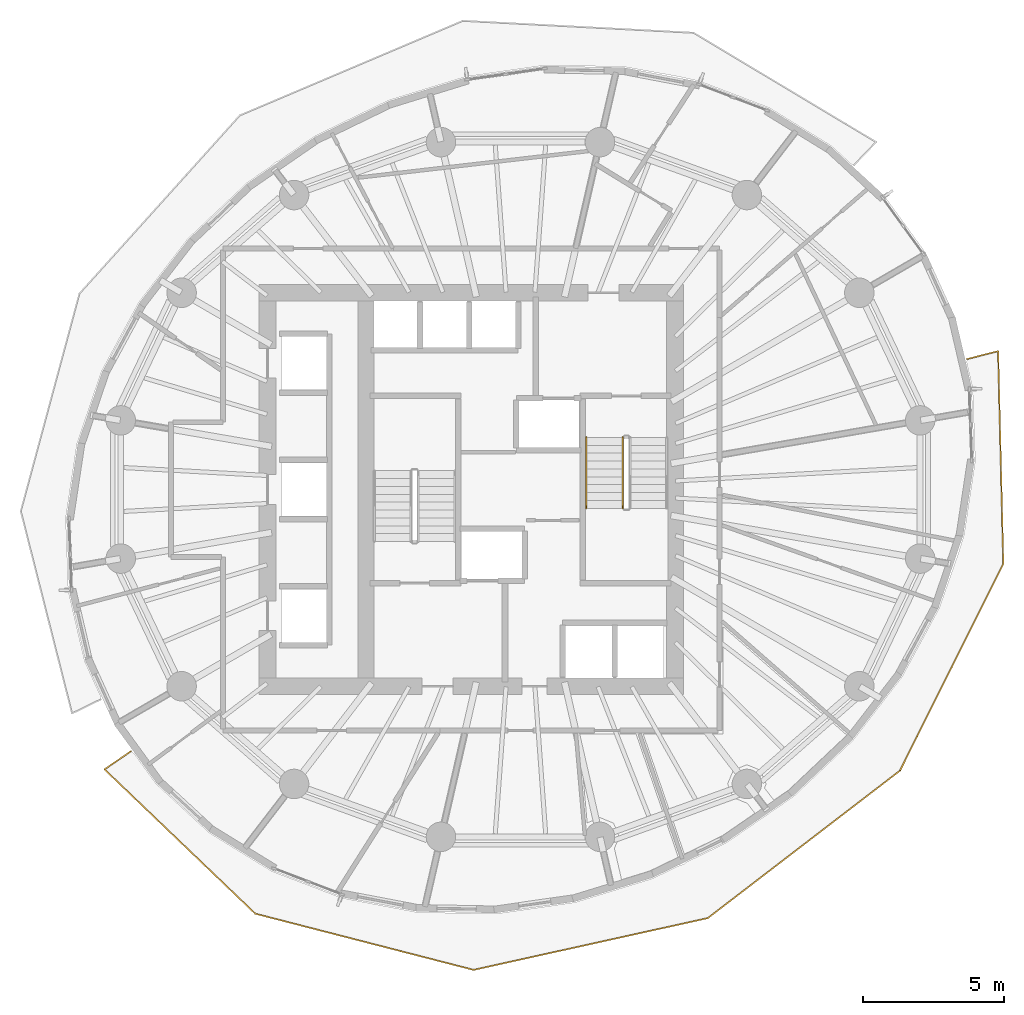
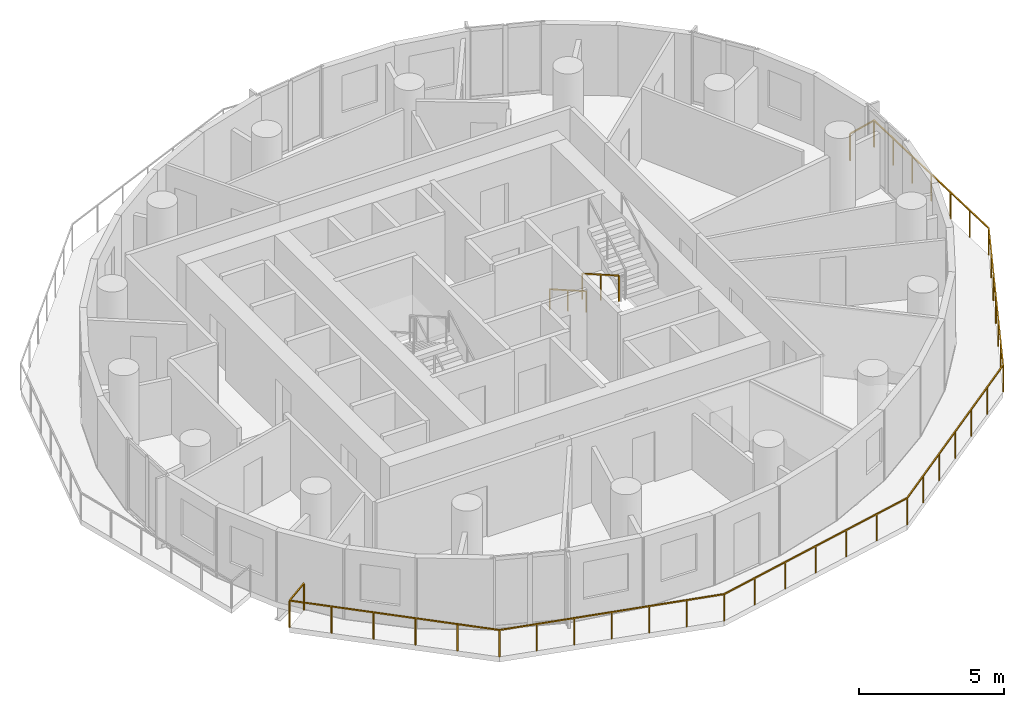
# One storey, part 11 of 14: 3 railings.
"""IFC4 building model written with IfcOpenShell, lengths in metres."""

from ifc_helpers import new_model, si_unit, direction, frame, origin, origin_2d, place, context, subcontext, project, spatial, rectangle, extrude, material, type_object, element, save


model = new_model("IFC4")

# Units and contexts
model_context = context("Model", 3, precision=1e-05, world=origin(), true_north=direction((0.0, 1.0)))
body_context = subcontext(model_context, "Body", "Model", "MODEL_VIEW")
ifc_project = project(units=[si_unit("LENGTHUNIT", "METRE"), si_unit("AREAUNIT", "SQUARE_METRE"), si_unit("VOLUMEUNIT", "CUBIC_METRE"), si_unit("PLANEANGLEUNIT", "RADIAN"), si_unit("MASSUNIT", "GRAM", prefix="KILO")], contexts=[model_context])

# Site, building, storey
site_placement = place(None, origin())
site = spatial("IfcSite", under=ifc_project, at=site_placement, CompositionType="ELEMENT")
building_placement = place(site_placement, origin())
building = spatial("IfcBuilding", under=site, at=building_placement, Name="Veldorim Arch Residences", CompositionType="ELEMENT")
storey_placement = place(building_placement, frame((0.0, 0.0, 126.56005859375)))
storey = spatial("IfcBuildingStorey", under=building, at=storey_placement, Name="L37", CompositionType="ELEMENT", Elevation=126.56005859375)

# Railings
ifc_material_1 = material(Name="Aluminium", Category="aluminium")
railing_type_1 = type_object("IfcRailingType", Name="Balcony & Terrace Laminated Glass Balustrade 1150", PredefinedType="BALUSTRADE", material=ifc_material_1)
railing_1_placement = place(storey_placement, frame((18.147216796875, 14.69287109375, 0.0)))
element("IfcRailing", 1, at=railing_1_placement, inside=storey, type_object=railing_type_1, Name="L37 crescent balcony safety balustrade B", PredefinedType="BALUSTRADE", context=body_context, shape_type="SweptSolid", body=[
    extrude(rectangle(XDim=0.048095703125, YDim=0.048095703125, at=origin_2d()), frame((0.0, 0.0, 1.1259765625), z_axis=(-0.824728851846, -0.565528355552, 0.0), x_axis=(0.565528355552, -0.824728851846, 0.0)), (0.0, 0.0, 1.0), 1.150146484375),
    extrude(rectangle(XDim=0.048095703125, YDim=0.048095703125, at=origin_2d()), frame((-0.948486328125, -0.650390625, 1.1259765625), z_axis=(0.722399864127, -0.691475550045, 0.0), x_axis=(0.691475550045, 0.722399864127, 0.0)), (0.0, 0.0, 1.0), 7.428955078125),
    extrude(rectangle(XDim=0.048095703125, YDim=0.048095703125, at=origin_2d()), frame((4.418212890625, -5.787353515625, 1.1259765625), z_axis=(0.968423038442, -0.249312692448, 0.0), x_axis=(0.249312692448, 0.968423038442, 0.0)), (0.0, 0.0, 1.0), 8.02001953125),
    extrude(rectangle(XDim=0.048095703125, YDim=0.048095703125, at=origin_2d()), frame((12.18505859375, -7.786865234375, 1.1259765625), z_axis=(0.976416740218, 0.215894301503, 0.0), x_axis=(-0.215894301503, 0.976416740218, 0.0)), (0.0, 0.0, 1.0), 8.533203125),
    extrude(rectangle(XDim=0.048095703125, YDim=0.048095703125, at=origin_2d()), frame((20.51708984375, -5.944580078125, 1.1259765625), z_axis=(0.793408539041, 0.608689485844, 0.0), x_axis=(-0.608689485844, 0.793408539041, 0.0)), (0.0, 0.0, 1.0), 8.622802734375),
    extrude(rectangle(XDim=0.048095703125, YDim=0.048095703125, at=origin_2d()), frame((27.3583984375, -0.696044921875, 1.1259765625), z_axis=(0.446987874806, 0.894540015749, 0.0), x_axis=(-0.894540015749, 0.446987874806, 0.0)), (0.0, 0.0, 1.0), 8.220703125),
    extrude(rectangle(XDim=0.048095703125, YDim=0.048095703125, at=origin_2d()), frame((31.032958984375, 6.65771484375, 1.1259765625), z_axis=(-0.024331146164, 0.999703953842, 0.0), x_axis=(-0.999703953842, -0.024331146164, 0.0)), (0.0, 0.0, 1.0), 7.57568359375),
    extrude(rectangle(XDim=0.048095703125, YDim=0.048095703125, at=origin_2d()), frame((30.8486328125, 14.231201171875, 1.1259765625), z_axis=(-0.969033465083, -0.246929430301, 0.0), x_axis=(0.246929430301, -0.969033465083, 0.0)), (0.0, 0.0, 1.0), 1.14990234375),
    extrude(rectangle(XDim=0.0419921875, YDim=0.0419921875, at=origin_2d()), origin(), (0.0, 0.0, 1.0), 1.101806640625),
    extrude(rectangle(XDim=0.0419921875, YDim=0.0419921875, at=origin_2d()), frame((-0.948486328125, -0.650390625, 0.0)), (0.0, 0.0, 1.0), 1.101806640625),
    extrude(rectangle(XDim=0.0419921875, YDim=0.0419921875, at=origin_2d()), frame((0.124755859375, -1.677734375, 0.0)), (0.0, 0.0, 1.0), 1.101806640625),
    extrude(rectangle(XDim=0.0419921875, YDim=0.0419921875, at=origin_2d()), frame((1.1982421875, -2.705078125, 0.0)), (0.0, 0.0, 1.0), 1.101806640625),
    extrude(rectangle(XDim=0.0419921875, YDim=0.0419921875, at=origin_2d()), frame((2.271484375, -3.732666015625, 0.0)), (0.0, 0.0, 1.0), 1.101806640625),
    extrude(rectangle(XDim=0.0419921875, YDim=0.0419921875, at=origin_2d()), frame((3.344970703125, -4.760009765625, 0.0)), (0.0, 0.0, 1.0), 1.101806640625),
    extrude(rectangle(XDim=0.0419921875, YDim=0.0419921875, at=origin_2d()), frame((4.418212890625, -5.787353515625, 0.0)), (0.0, 0.0, 1.0), 1.101806640625),
    extrude(rectangle(XDim=0.0419921875, YDim=0.0419921875, at=origin_2d()), frame((5.712646484375, -6.12060546875, 0.0)), (0.0, 0.0, 1.0), 1.101806640625),
    extrude(rectangle(XDim=0.0419921875, YDim=0.0419921875, at=origin_2d()), frame((7.007080078125, -6.453857421875, 0.0)), (0.0, 0.0, 1.0), 1.101806640625),
    extrude(rectangle(XDim=0.0419921875, YDim=0.0419921875, at=origin_2d()), frame((8.3017578125, -6.787109375, 0.0)), (0.0, 0.0, 1.0), 1.101806640625),
    extrude(rectangle(XDim=0.0419921875, YDim=0.0419921875, at=origin_2d()), frame((9.59619140625, -7.120361328125, 0.0)), (0.0, 0.0, 1.0), 1.101806640625),
    extrude(rectangle(XDim=0.0419921875, YDim=0.0419921875, at=origin_2d()), frame((10.890625, -7.45361328125, 0.0)), (0.0, 0.0, 1.0), 1.101806640625),
    extrude(rectangle(XDim=0.0419921875, YDim=0.0419921875, at=origin_2d()), frame((12.18505859375, -7.786865234375, 0.0)), (0.0, 0.0, 1.0), 1.101806640625),
    extrude(rectangle(XDim=0.0419921875, YDim=0.0419921875, at=origin_2d()), frame((13.57373046875, -7.479736328125, 0.0)), (0.0, 0.0, 1.0), 1.101806640625),
    extrude(rectangle(XDim=0.0419921875, YDim=0.0419921875, at=origin_2d()), frame((14.96240234375, -7.1728515625, 0.0)), (0.0, 0.0, 1.0), 1.101806640625),
    extrude(rectangle(XDim=0.0419921875, YDim=0.0419921875, at=origin_2d()), frame((16.35107421875, -6.86572265625, 0.0)), (0.0, 0.0, 1.0), 1.101806640625),
    extrude(rectangle(XDim=0.0419921875, YDim=0.0419921875, at=origin_2d()), frame((17.73974609375, -6.55859375, 0.0)), (0.0, 0.0, 1.0), 1.101806640625),
    extrude(rectangle(XDim=0.0419921875, YDim=0.0419921875, at=origin_2d()), frame((19.12841796875, -6.251708984375, 0.0)), (0.0, 0.0, 1.0), 1.101806640625),
    extrude(rectangle(XDim=0.0419921875, YDim=0.0419921875, at=origin_2d()), frame((20.51708984375, -5.944580078125, 0.0)), (0.0, 0.0, 1.0), 1.101806640625),
    extrude(rectangle(XDim=0.0419921875, YDim=0.0419921875, at=origin_2d()), frame((21.6572265625, -5.06982421875, 0.0)), (0.0, 0.0, 1.0), 1.101806640625),
    extrude(rectangle(XDim=0.0419921875, YDim=0.0419921875, at=origin_2d()), frame((22.797607421875, -4.195068359375, 0.0)), (0.0, 0.0, 1.0), 1.101806640625),
    extrude(rectangle(XDim=0.0419921875, YDim=0.0419921875, at=origin_2d()), frame((23.937744140625, -3.3203125, 0.0)), (0.0, 0.0, 1.0), 1.101806640625),
    extrude(rectangle(XDim=0.0419921875, YDim=0.0419921875, at=origin_2d()), frame((25.077880859375, -2.445556640625, 0.0)), (0.0, 0.0, 1.0), 1.101806640625),
    extrude(rectangle(XDim=0.0419921875, YDim=0.0419921875, at=origin_2d()), frame((26.21826171875, -1.57080078125, 0.0)), (0.0, 0.0, 1.0), 1.101806640625),
    extrude(rectangle(XDim=0.0419921875, YDim=0.0419921875, at=origin_2d()), frame((27.3583984375, -0.696044921875, 0.0)), (0.0, 0.0, 1.0), 1.101806640625),
    extrude(rectangle(XDim=0.0419921875, YDim=0.0419921875, at=origin_2d()), frame((27.970703125, 0.529541015625, 0.0)), (0.0, 0.0, 1.0), 1.101806640625),
    extrude(rectangle(XDim=0.0419921875, YDim=0.0419921875, at=origin_2d()), frame((28.583251953125, 1.755126953125, 0.0)), (0.0, 0.0, 1.0), 1.101806640625),
    extrude(rectangle(XDim=0.0419921875, YDim=0.0419921875, at=origin_2d()), frame((29.19580078125, 2.98095703125, 0.0)), (0.0, 0.0, 1.0), 1.101806640625),
    extrude(rectangle(XDim=0.0419921875, YDim=0.0419921875, at=origin_2d()), frame((29.80810546875, 4.20654296875, 0.0)), (0.0, 0.0, 1.0), 1.101806640625),
    extrude(rectangle(XDim=0.0419921875, YDim=0.0419921875, at=origin_2d()), frame((30.42041015625, 5.43212890625, 0.0)), (0.0, 0.0, 1.0), 1.101806640625),
    extrude(rectangle(XDim=0.0419921875, YDim=0.0419921875, at=origin_2d()), frame((31.032958984375, 6.65771484375, 0.0)), (0.0, 0.0, 1.0), 1.101806640625),
    extrude(rectangle(XDim=0.0419921875, YDim=0.0419921875, at=origin_2d()), frame((31.002197265625, 7.919921875, 0.0)), (0.0, 0.0, 1.0), 1.101806640625),
    extrude(rectangle(XDim=0.0419921875, YDim=0.0419921875, at=origin_2d()), frame((30.971435546875, 9.18212890625, 0.0)), (0.0, 0.0, 1.0), 1.101806640625),
    extrude(rectangle(XDim=0.0419921875, YDim=0.0419921875, at=origin_2d()), frame((30.94091796875, 10.4443359375, 0.0)), (0.0, 0.0, 1.0), 1.101806640625),
    extrude(rectangle(XDim=0.0419921875, YDim=0.0419921875, at=origin_2d()), frame((30.91015625, 11.706787109375, 0.0)), (0.0, 0.0, 1.0), 1.101806640625),
    extrude(rectangle(XDim=0.0419921875, YDim=0.0419921875, at=origin_2d()), frame((30.87939453125, 12.968994140625, 0.0)), (0.0, 0.0, 1.0), 1.101806640625),
    extrude(rectangle(XDim=0.0419921875, YDim=0.0419921875, at=origin_2d()), frame((30.8486328125, 14.231201171875, 0.0)), (0.0, 0.0, 1.0), 1.101806640625),
    extrude(rectangle(XDim=0.0419921875, YDim=0.0419921875, at=origin_2d()), frame((29.734375, 13.947265625, 0.0)), (0.0, 0.0, 1.0), 1.101806640625),
])
ifc_material_2 = material(Name="Steel S355", Category="steel")
railing_type_2 = type_object("IfcRailingType", Name="Galvanised Steel Stair Safety Guardrail 1100", PredefinedType="GUARDRAIL", material=ifc_material_2)
railing_2_placement = place(storey_placement, frame((35.639892578125, 25.85009765625, 0.159912109375)))
element("IfcRailing", 2, at=railing_2_placement, inside=storey, type_object=railing_type_2, Name="L37 ST-2 stair guard 1", PredefinedType="GUARDRAIL", context=body_context, shape_type="SweptSolid", body=[
    extrude(rectangle(XDim=0.048095703125, YDim=0.048095703125, at=origin_2d()), frame((0.0, 0.0, 1.076171875), z_axis=(0.0, -0.868253494771, 0.496120820787), x_axis=(1.0, 0.0, 0.0)), (0.0, 0.0, 1.0), 2.90234375),
    extrude(rectangle(XDim=0.0419921875, YDim=0.0419921875, at=origin_2d()), origin(), (0.0, 0.0, 1.0), 1.052001953125),
    extrude(rectangle(XDim=0.0419921875, YDim=0.0419921875, at=origin_2d()), frame((0.0, -1.260009765625, 0.719970703125)), (0.0, 0.0, 1.0), 1.052001953125),
    extrude(rectangle(XDim=0.0419921875, YDim=0.0419921875, at=origin_2d()), frame((0.0, -2.52001953125, 1.43994140625)), (0.0, 0.0, 1.0), 1.052001953125),
])
ifc_material_3 = material(Name="Stainless Steel", Category="steel")
railing_type_3 = type_object("IfcRailingType", Name="Tubular Steel Continuous Wall Handrail 900", PredefinedType="HANDRAIL", material=ifc_material_3)
railing_3_placement = place(storey_placement, frame((34.340087890625, 25.85009765625, 0.159912109375)))
element("IfcRailing", 3, at=railing_3_placement, inside=storey, type_object=railing_type_3, Name="L37 ST-2 stair handrail 1", PredefinedType="HANDRAIL", context=body_context, shape_type="SweptSolid", body=[
    extrude(rectangle(XDim=0.048095703125, YDim=0.048095703125, at=origin_2d()), frame((0.0, 0.0, 0.8759765625), z_axis=(0.0, -0.868253494771, 0.496120820787), x_axis=(1.0, 0.0, 0.0)), (0.0, 0.0, 1.0), 2.90234375),
    extrude(rectangle(XDim=0.0419921875, YDim=0.0419921875, at=origin_2d()), origin(), (0.0, 0.0, 1.0), 0.851806640625),
    extrude(rectangle(XDim=0.0419921875, YDim=0.0419921875, at=origin_2d()), frame((0.0, -1.260009765625, 0.719970703125)), (0.0, 0.0, 1.0), 0.851806640625),
    extrude(rectangle(XDim=0.0419921875, YDim=0.0419921875, at=origin_2d()), frame((0.0, -2.52001953125, 1.43994140625)), (0.0, 0.0, 1.0), 0.851806640625),
])

save(model, "model.ifc")
